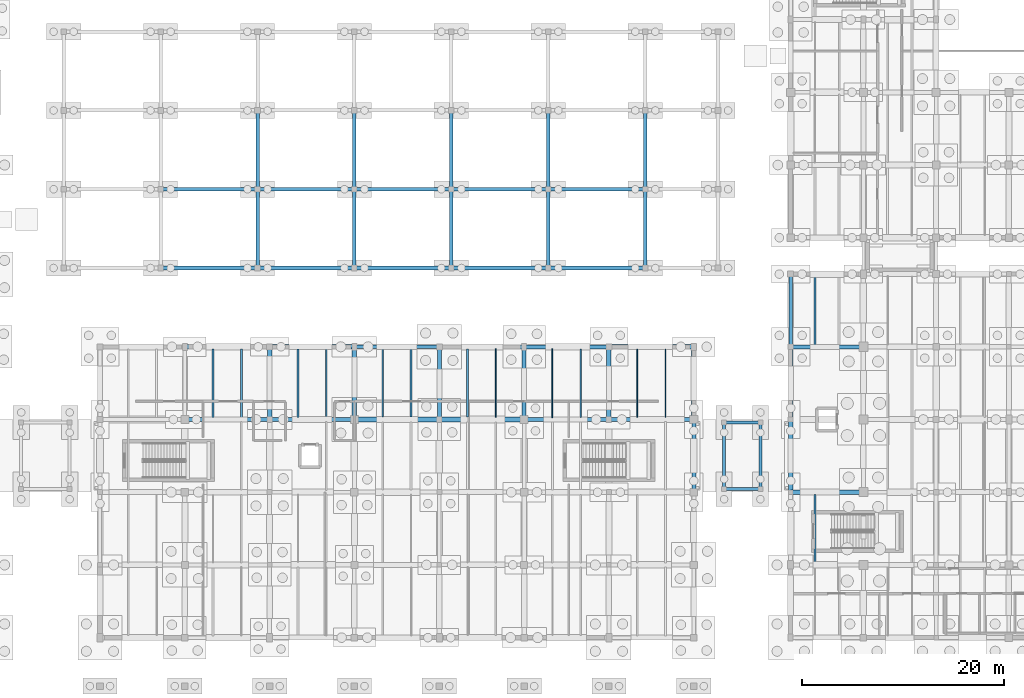
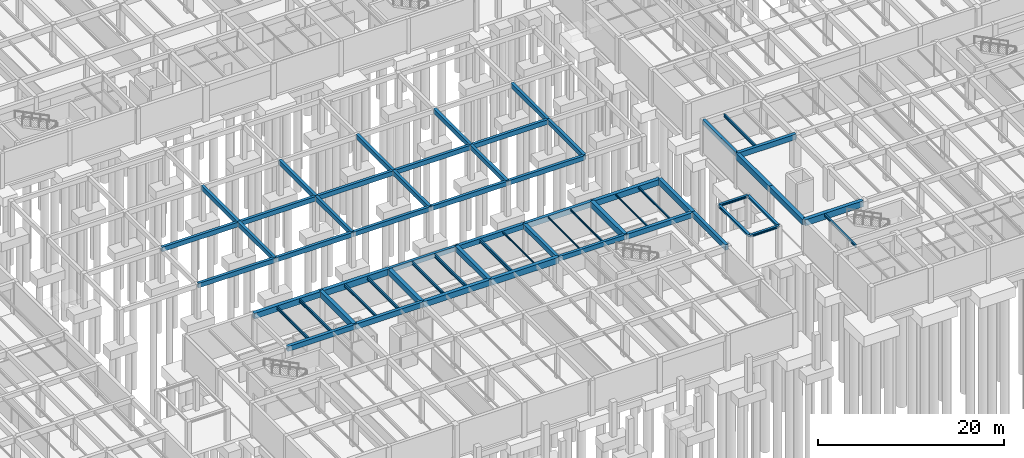
# One storey, part 27 of 63: 62 beams.
"""IFC4 building model written with IfcOpenShell, lengths in metres."""

from ifc_helpers import new_model, si_unit, direction, frame, origin, origin_2d, place, context, subcontext, project, spatial, rectangle, i_section, extrude, material, material_profile, profile_set, type_object, element, save


model = new_model("IFC4")

# Units and contexts
model_context = context("Model", 3, precision=1e-05, world=origin(), true_north=direction((0.0, 1.0)))
body_context = subcontext(model_context, "Body", "Model", "MODEL_VIEW")
ifc_project = project(units=[si_unit("LENGTHUNIT", "METRE"), si_unit("AREAUNIT", "SQUARE_METRE"), si_unit("VOLUMEUNIT", "CUBIC_METRE"), si_unit("PLANEANGLEUNIT", "RADIAN"), si_unit("MASSUNIT", "GRAM", prefix="KILO")], contexts=[model_context])

# Site, building, storey
site_placement = place(None, origin())
site = spatial("IfcSite", under=ifc_project, at=site_placement, CompositionType="ELEMENT")
building_placement = place(site_placement, origin())
building = spatial("IfcBuilding", under=site, at=building_placement, Name="Mazaris Harbour Polytechnic", CompositionType="ELEMENT")
storey_placement = place(building_placement, frame((0.0, 0.0, -4.5)))
storey = spatial("IfcBuildingStorey", under=building, at=storey_placement, Name="B1", CompositionType="ELEMENT", Elevation=-4.5)

# Beams
ifc_material_1 = material(Name="Concrete C35/45", Category="concrete")
ifc_material_profile_1 = material_profile(ifc_material_1, rectangle(XDim=0.35009765625, YDim=0.60009765625, at=origin_2d()), Name="RECT350x600")
ifc_profile_set_1 = profile_set([ifc_material_profile_1], Name="Concrete C35/45")
beam_type_1 = type_object("IfcBeamType", Name="RC Girder 350x600", PredefinedType="BEAM", material=ifc_profile_set_1)
beam_1_placement = place(storey_placement, frame((96.0, 28.800048828125, 3.8798828125), z_axis=(1.0, 0.0, 0.0), x_axis=(0.0, 1.0, 0.0)))
element("IfcBeam", 1, at=beam_1_placement, inside=storey, type_object=beam_type_1, Name="V3 B1 Girder 765", PredefinedType="BEAM", context=body_context, shape_type="SweptSolid", body=[
    extrude(rectangle(XDim=0.35009765625, YDim=0.60009765625, at=origin_2d()), origin(), (0.0, 0.0, 1.0), 8.39990234375),
])
beam_2_placement = place(storey_placement, frame((60.0, 43.800048828125, 3.89990234375), z_axis=(1.0, 0.0, 0.0), x_axis=(0.0, 1.0, 0.0)))
element("IfcBeam", 2, at=beam_2_placement, inside=storey, type_object=beam_type_1, Name="Courtyard Deck Girder X-3504", PredefinedType="BEAM", context=body_context, shape_type="SweptSolid", body=[
    extrude(rectangle(XDim=0.35009765625, YDim=0.60009765625, at=origin_2d()), origin(), (0.0, 0.0, 1.0), 9.60009765625),
])
beam_3_placement = place(storey_placement, frame((69.60009765625, 43.800048828125, 3.89990234375), z_axis=(1.0, 0.0, 0.0), x_axis=(0.0, 1.0, 0.0)))
element("IfcBeam", 3, at=beam_3_placement, inside=storey, type_object=beam_type_1, Name="Courtyard Deck Girder X-3505", PredefinedType="BEAM", context=body_context, shape_type="SweptSolid", body=[
    extrude(rectangle(XDim=0.35009765625, YDim=0.60009765625, at=origin_2d()), origin(), (0.0, 0.0, 1.0), 9.599853515625),
])
beam_4_placement = place(storey_placement, frame((79.199951171875, 43.800048828125, 3.89990234375), z_axis=(1.0, 0.0, 0.0), x_axis=(0.0, 1.0, 0.0)))
element("IfcBeam", 4, at=beam_4_placement, inside=storey, type_object=beam_type_1, Name="Courtyard Deck Girder X-3506", PredefinedType="BEAM", context=body_context, shape_type="SweptSolid", body=[
    extrude(rectangle(XDim=0.35009765625, YDim=0.60009765625, at=origin_2d()), origin(), (0.0, 0.0, 1.0), 9.60009765625),
])
beam_5_placement = place(storey_placement, frame((88.800048828125, 43.800048828125, 3.89990234375), z_axis=(1.0, 0.0, 0.0), x_axis=(0.0, 1.0, 0.0)))
element("IfcBeam", 5, at=beam_5_placement, inside=storey, type_object=beam_type_1, Name="Courtyard Deck Girder X-3507", PredefinedType="BEAM", context=body_context, shape_type="SweptSolid", body=[
    extrude(rectangle(XDim=0.35009765625, YDim=0.60009765625, at=origin_2d()), origin(), (0.0, 0.0, 1.0), 9.599853515625),
])
for number, where, z_axis, x_axis, name in (
    (6, (98.39990234375, 43.800048828125, 3.89990234375), (1.0, 0.0, 0.0), (0.0, 1.0, 0.0), "Courtyard Deck Girder X-3508"),
    (7, (60.0, 51.60009765625, 3.89990234375), (1.0, 0.0, 0.0), (0.0, 1.0, 0.0), "Courtyard Deck Girder X-3511"),
):
    element("IfcBeam", number, at=place(storey_placement, frame(where, z_axis=z_axis, x_axis=x_axis)), inside=storey, type_object=beam_type_1, Name=name, PredefinedType="BEAM", context=body_context, shape_type="SweptSolid", body=[
        extrude(rectangle(XDim=0.35009765625, YDim=0.60009765625, at=origin_2d()), origin(), (0.0, 0.0, 1.0), 9.60009765625),
    ])
beam_6_placement = place(storey_placement, frame((69.60009765625, 51.60009765625, 3.89990234375), z_axis=(1.0, 0.0, 0.0), x_axis=(0.0, 1.0, 0.0)))
element("IfcBeam", 8, at=beam_6_placement, inside=storey, type_object=beam_type_1, Name="Courtyard Deck Girder X-3512", PredefinedType="BEAM", context=body_context, shape_type="SweptSolid", body=[
    extrude(rectangle(XDim=0.35009765625, YDim=0.60009765625, at=origin_2d()), origin(), (0.0, 0.0, 1.0), 9.599853515625),
])
beam_7_placement = place(storey_placement, frame((79.199951171875, 51.60009765625, 3.89990234375), z_axis=(1.0, 0.0, 0.0), x_axis=(0.0, 1.0, 0.0)))
element("IfcBeam", 9, at=beam_7_placement, inside=storey, type_object=beam_type_1, Name="Courtyard Deck Girder X-3513", PredefinedType="BEAM", context=body_context, shape_type="SweptSolid", body=[
    extrude(rectangle(XDim=0.35009765625, YDim=0.60009765625, at=origin_2d()), origin(), (0.0, 0.0, 1.0), 9.60009765625),
])
beam_8_placement = place(storey_placement, frame((88.800048828125, 51.60009765625, 3.89990234375), z_axis=(1.0, 0.0, 0.0), x_axis=(0.0, 1.0, 0.0)))
element("IfcBeam", 10, at=beam_8_placement, inside=storey, type_object=beam_type_1, Name="Courtyard Deck Girder X-3514", PredefinedType="BEAM", context=body_context, shape_type="SweptSolid", body=[
    extrude(rectangle(XDim=0.35009765625, YDim=0.60009765625, at=origin_2d()), origin(), (0.0, 0.0, 1.0), 9.599853515625),
])
beam_9_placement = place(storey_placement, frame((98.39990234375, 51.60009765625, 3.89990234375), z_axis=(1.0, 0.0, 0.0), x_axis=(0.0, 1.0, 0.0)))
element("IfcBeam", 11, at=beam_9_placement, inside=storey, type_object=beam_type_1, Name="Courtyard Deck Girder X-3515", PredefinedType="BEAM", context=body_context, shape_type="SweptSolid", body=[
    extrude(rectangle(XDim=0.35009765625, YDim=0.60009765625, at=origin_2d()), origin(), (0.0, 0.0, 1.0), 9.60009765625),
])
beam_10_placement = place(storey_placement, frame((69.60009765625, 43.800048828125, 3.89990234375), z_axis=(0.0, 1.0, 0.0), x_axis=(-1.0, 0.0, 0.0)))
element("IfcBeam", 12, at=beam_10_placement, inside=storey, type_object=beam_type_1, Name="Courtyard Deck Girder Y-3537", PredefinedType="BEAM", context=body_context, shape_type="SweptSolid", body=[
    extrude(rectangle(XDim=0.35009765625, YDim=0.60009765625, at=origin_2d()), origin(), (0.0, 0.0, 1.0), 7.800048828125),
])
beam_11_placement = place(storey_placement, frame((69.60009765625, 51.60009765625, 3.89990234375), z_axis=(0.0, 1.0, 0.0), x_axis=(-1.0, 0.0, 0.0)))
element("IfcBeam", 13, at=beam_11_placement, inside=storey, type_object=beam_type_1, Name="Courtyard Deck Girder Y-3538", PredefinedType="BEAM", context=body_context, shape_type="SweptSolid", body=[
    extrude(rectangle(XDim=0.35009765625, YDim=0.60009765625, at=origin_2d()), origin(), (0.0, 0.0, 1.0), 7.7998046875),
])
beam_12_placement = place(storey_placement, frame((79.199951171875, 43.800048828125, 3.89990234375), z_axis=(0.0, 1.0, 0.0), x_axis=(-1.0, 0.0, 0.0)))
element("IfcBeam", 14, at=beam_12_placement, inside=storey, type_object=beam_type_1, Name="Courtyard Deck Girder Y-3540", PredefinedType="BEAM", context=body_context, shape_type="SweptSolid", body=[
    extrude(rectangle(XDim=0.35009765625, YDim=0.60009765625, at=origin_2d()), origin(), (0.0, 0.0, 1.0), 7.800048828125),
])
beam_13_placement = place(storey_placement, frame((79.199951171875, 51.60009765625, 3.89990234375), z_axis=(0.0, 1.0, 0.0), x_axis=(-1.0, 0.0, 0.0)))
element("IfcBeam", 15, at=beam_13_placement, inside=storey, type_object=beam_type_1, Name="Courtyard Deck Girder Y-3541", PredefinedType="BEAM", context=body_context, shape_type="SweptSolid", body=[
    extrude(rectangle(XDim=0.35009765625, YDim=0.60009765625, at=origin_2d()), origin(), (0.0, 0.0, 1.0), 7.7998046875),
])
beam_14_placement = place(storey_placement, frame((88.800048828125, 43.800048828125, 3.89990234375), z_axis=(0.0, 1.0, 0.0), x_axis=(-1.0, 0.0, 0.0)))
element("IfcBeam", 16, at=beam_14_placement, inside=storey, type_object=beam_type_1, Name="Courtyard Deck Girder Y-3543", PredefinedType="BEAM", context=body_context, shape_type="SweptSolid", body=[
    extrude(rectangle(XDim=0.35009765625, YDim=0.60009765625, at=origin_2d()), origin(), (0.0, 0.0, 1.0), 7.800048828125),
])
beam_15_placement = place(storey_placement, frame((88.800048828125, 51.60009765625, 3.89990234375), z_axis=(0.0, 1.0, 0.0), x_axis=(-1.0, 0.0, 0.0)))
element("IfcBeam", 17, at=beam_15_placement, inside=storey, type_object=beam_type_1, Name="Courtyard Deck Girder Y-3544", PredefinedType="BEAM", context=body_context, shape_type="SweptSolid", body=[
    extrude(rectangle(XDim=0.35009765625, YDim=0.60009765625, at=origin_2d()), origin(), (0.0, 0.0, 1.0), 7.7998046875),
])
beam_16_placement = place(storey_placement, frame((98.39990234375, 43.800048828125, 3.89990234375), z_axis=(0.0, 1.0, 0.0), x_axis=(-1.0, 0.0, 0.0)))
element("IfcBeam", 18, at=beam_16_placement, inside=storey, type_object=beam_type_1, Name="Courtyard Deck Girder Y-3546", PredefinedType="BEAM", context=body_context, shape_type="SweptSolid", body=[
    extrude(rectangle(XDim=0.35009765625, YDim=0.60009765625, at=origin_2d()), origin(), (0.0, 0.0, 1.0), 7.800048828125),
])
beam_17_placement = place(storey_placement, frame((98.39990234375, 51.60009765625, 3.89990234375), z_axis=(0.0, 1.0, 0.0), x_axis=(-1.0, 0.0, 0.0)))
element("IfcBeam", 19, at=beam_17_placement, inside=storey, type_object=beam_type_1, Name="Courtyard Deck Girder Y-3547", PredefinedType="BEAM", context=body_context, shape_type="SweptSolid", body=[
    extrude(rectangle(XDim=0.35009765625, YDim=0.60009765625, at=origin_2d()), origin(), (0.0, 0.0, 1.0), 7.7998046875),
])
beam_18_placement = place(storey_placement, frame((108.0, 43.800048828125, 3.89990234375), z_axis=(0.0, 1.0, 0.0), x_axis=(-1.0, 0.0, 0.0)))
element("IfcBeam", 20, at=beam_18_placement, inside=storey, type_object=beam_type_1, Name="Courtyard Deck Girder Y-3549", PredefinedType="BEAM", context=body_context, shape_type="SweptSolid", body=[
    extrude(rectangle(XDim=0.35009765625, YDim=0.60009765625, at=origin_2d()), origin(), (0.0, 0.0, 1.0), 7.800048828125),
])
beam_19_placement = place(storey_placement, frame((108.0, 51.60009765625, 3.89990234375), z_axis=(0.0, 1.0, 0.0), x_axis=(-1.0, 0.0, 0.0)))
element("IfcBeam", 21, at=beam_19_placement, inside=storey, type_object=beam_type_1, Name="Courtyard Deck Girder Y-3550", PredefinedType="BEAM", context=body_context, shape_type="SweptSolid", body=[
    extrude(rectangle(XDim=0.35009765625, YDim=0.60009765625, at=origin_2d()), origin(), (0.0, 0.0, 1.0), 7.7998046875),
])
ifc_material_2 = material(Name="Concrete C35/45", Category="concrete")
ifc_material_profile_2 = material_profile(ifc_material_2, rectangle(XDim=0.35009765625, YDim=0.60009765625, at=origin_2d()), Name="RECT350x600")
ifc_profile_set_2 = profile_set([ifc_material_profile_2], Name="Concrete C35/45")
beam_type_2 = type_object("IfcBeamType", Name="RC Girder 350x600 Exterior", PredefinedType="BEAM", material=ifc_profile_set_2)
beam_20_placement = place(storey_placement, frame((122.39990234375, 36.0, 3.8798828125), z_axis=(0.0, 1.0, 0.0), x_axis=(-1.0, 0.0, 0.0)))
element("IfcBeam", 22, at=beam_20_placement, inside=storey, type_object=beam_type_2, Name="V2 B1 Tie Girder 325", PredefinedType="BEAM", context=body_context, shape_type="SweptSolid", body=[
    extrude(rectangle(XDim=0.35009765625, YDim=0.60009765625, at=origin_2d()), origin(), (0.0, 0.0, 1.0), 7.199951171875),
])
beam_21_placement = place(storey_placement, frame((79.199951171875, 36.0, 3.8798828125), z_axis=(1.0, 0.0, 0.0), x_axis=(0.0, 1.0, 0.0)))
element("IfcBeam", 23, at=beam_21_placement, inside=storey, type_object=beam_type_2, Name="V3 B1 Girder 770", PredefinedType="BEAM", context=body_context, shape_type="SweptSolid", body=[
    extrude(rectangle(XDim=0.35009765625, YDim=0.60009765625, at=origin_2d()), origin(), (0.0, 0.0, 1.0), 8.400146484375),
])
ifc_material_3 = material(Name="Concrete C35/45", Category="concrete")
ifc_material_profile_3 = material_profile(ifc_material_3, rectangle(XDim=0.39990234375, YDim=0.64990234375, at=origin_2d()), Name="RECT400x650")
ifc_profile_set_3 = profile_set([ifc_material_profile_3], Name="Concrete C35/45")
beam_type_3 = type_object("IfcBeamType", Name="RC Girder 400x650", PredefinedType="BEAM", material=ifc_profile_set_3)
for number, where, z_axis, x_axis, name in (
    (24, (62.39990234375, 28.800048828125, 3.85498046875), (1.0, 0.0, 0.0), (0.0, 1.0, 0.0), "V3 B1 Girder 761"),
    (25, (104.39990234375, 28.800048828125, 3.85498046875), (1.0, 0.0, 0.0), (0.0, 1.0, 0.0), "V3 B1 Girder 766"),
):
    element("IfcBeam", number, at=place(storey_placement, frame(where, z_axis=z_axis, x_axis=x_axis)), inside=storey, type_object=beam_type_3, Name=name, PredefinedType="BEAM", context=body_context, shape_type="SweptSolid", body=[
        extrude(rectangle(XDim=0.39990234375, YDim=0.64990234375, at=origin_2d()), origin(), (0.0, 0.0, 1.0), 8.400146484375),
    ])
beam_22_placement = place(storey_placement, frame((96.0, 28.800048828125, 3.85498046875), z_axis=(0.0, 1.0, 0.0), x_axis=(-1.0, 0.0, 0.0)))
element("IfcBeam", 26, at=beam_22_placement, inside=storey, type_object=beam_type_3, Name="V3 B1 Tie Girder 796", PredefinedType="BEAM", context=body_context, shape_type="SweptSolid", body=[
    extrude(rectangle(XDim=0.39990234375, YDim=0.64990234375, at=origin_2d()), origin(), (0.0, 0.0, 1.0), 7.199951171875),
])
ifc_material_4 = material(Name="Concrete C35/45", Category="concrete")
ifc_material_profile_4 = material_profile(ifc_material_4, rectangle(XDim=0.39990234375, YDim=0.64990234375, at=origin_2d()), Name="RECT400x650")
ifc_profile_set_4 = profile_set([ifc_material_profile_4], Name="Concrete C35/45")
beam_type_4 = type_object("IfcBeamType", Name="RC Girder 400x650 Exterior", PredefinedType="BEAM", material=ifc_profile_set_4)
beam_23_placement = place(storey_placement, frame((87.60009765625, 36.0, 3.85498046875), z_axis=(1.0, 0.0, 0.0), x_axis=(0.0, 1.0, 0.0)))
element("IfcBeam", 27, at=beam_23_placement, inside=storey, type_object=beam_type_4, Name="V3 B1 Girder 771", PredefinedType="BEAM", context=body_context, shape_type="SweptSolid", body=[
    extrude(rectangle(XDim=0.39990234375, YDim=0.64990234375, at=origin_2d()), origin(), (0.0, 0.0, 1.0), 8.39990234375),
])
ifc_material_5 = material(Name="Concrete C35/45", Category="concrete")
ifc_material_profile_5 = material_profile(ifc_material_5, rectangle(XDim=0.39990234375, YDim=0.699951171875, at=origin_2d()), Name="RECT400x700")
ifc_profile_set_5 = profile_set([ifc_material_profile_5], Name="Concrete C35/45")
beam_type_5 = type_object("IfcBeamType", Name="RC Girder 400x700", PredefinedType="BEAM", material=ifc_profile_set_5)
beam_24_placement = place(storey_placement, frame((122.39990234375, 36.0, 3.830078125), z_axis=(1.0, 0.0, 0.0), x_axis=(0.0, 1.0, 0.0)))
element("IfcBeam", 28, at=beam_24_placement, inside=storey, type_object=beam_type_5, Name="V2 B1 Girder 307", PredefinedType="BEAM", context=body_context, shape_type="SweptSolid", body=[
    extrude(rectangle(XDim=0.39990234375, YDim=0.699951171875, at=origin_2d()), origin(), (0.0, 0.0, 1.0), 7.2001953125),
])
beam_25_placement = place(storey_placement, frame((70.800048828125, 28.800048828125, 3.830078125), z_axis=(1.0, 0.0, 0.0), x_axis=(0.0, 1.0, 0.0)))
element("IfcBeam", 29, at=beam_25_placement, inside=storey, type_object=beam_type_5, Name="V3 B1 Girder 762", PredefinedType="BEAM", context=body_context, shape_type="SweptSolid", body=[
    extrude(rectangle(XDim=0.39990234375, YDim=0.699951171875, at=origin_2d()), origin(), (0.0, 0.0, 1.0), 8.39990234375),
])
beam_26_placement = place(storey_placement, frame((87.60009765625, 28.800048828125, 3.830078125), z_axis=(0.0, 1.0, 0.0), x_axis=(-1.0, 0.0, 0.0)))
element("IfcBeam", 30, at=beam_26_placement, inside=storey, type_object=beam_type_5, Name="V3 B1 Tie Girder 792", PredefinedType="BEAM", context=body_context, shape_type="SweptSolid", body=[
    extrude(rectangle(XDim=0.39990234375, YDim=0.699951171875, at=origin_2d()), origin(), (0.0, 0.0, 1.0), 7.199951171875),
])
ifc_material_6 = material(Name="Concrete C35/45", Category="concrete")
ifc_material_profile_6 = material_profile(ifc_material_6, rectangle(XDim=0.39990234375, YDim=0.699951171875, at=origin_2d()), Name="RECT400x700")
ifc_profile_set_6 = profile_set([ifc_material_profile_6], Name="Concrete C35/45")
beam_type_6 = type_object("IfcBeamType", Name="RC Girder 400x700 Exterior", PredefinedType="BEAM", material=ifc_profile_set_6)
beam_27_placement = place(storey_placement, frame((96.0, 36.0, 3.830078125), z_axis=(1.0, 0.0, 0.0), x_axis=(0.0, 1.0, 0.0)))
element("IfcBeam", 31, at=beam_27_placement, inside=storey, type_object=beam_type_6, Name="V3 B1 Girder 772", PredefinedType="BEAM", context=body_context, shape_type="SweptSolid", body=[
    extrude(rectangle(XDim=0.39990234375, YDim=0.699951171875, at=origin_2d()), origin(), (0.0, 0.0, 1.0), 8.39990234375),
])
beam_28_placement = place(storey_placement, frame((112.800048828125, 21.60009765625, 3.830078125), z_axis=(0.0, 1.0, 0.0), x_axis=(-1.0, 0.0, 0.0)))
element("IfcBeam", 32, at=beam_28_placement, inside=storey, type_object=beam_type_6, Name="V3 B1 Tie Girder 802", PredefinedType="BEAM", context=body_context, shape_type="SweptSolid", body=[
    extrude(rectangle(XDim=0.39990234375, YDim=0.699951171875, at=origin_2d()), origin(), (0.0, 0.0, 1.0), 7.199951171875),
])
ifc_material_7 = material(Name="Concrete C40/50", Category="concrete")
ifc_material_profile_7 = material_profile(ifc_material_7, rectangle(XDim=0.449951171875, YDim=0.75, at=origin_2d()), Name="RECT450x750")
ifc_profile_set_7 = profile_set([ifc_material_profile_7], Name="Concrete C40/50")
beam_type_7 = type_object("IfcBeamType", Name="RC Girder 450x750", PredefinedType="BEAM", material=ifc_profile_set_7)
beam_29_placement = place(storey_placement, frame((79.199951171875, 28.800048828125, 3.804931640625), z_axis=(1.0, 0.0, 0.0), x_axis=(0.0, 1.0, 0.0)))
element("IfcBeam", 33, at=beam_29_placement, inside=storey, type_object=beam_type_7, Name="V3 B1 Girder 763", PredefinedType="BEAM", context=body_context, shape_type="SweptSolid", body=[
    extrude(rectangle(XDim=0.449951171875, YDim=0.75, at=origin_2d()), origin(), (0.0, 0.0, 1.0), 8.400146484375),
])
beam_30_placement = place(storey_placement, frame((79.199951171875, 28.800048828125, 3.804931640625), z_axis=(0.0, 1.0, 0.0), x_axis=(-1.0, 0.0, 0.0)))
element("IfcBeam", 34, at=beam_30_placement, inside=storey, type_object=beam_type_7, Name="V3 B1 Tie Girder 788", PredefinedType="BEAM", context=body_context, shape_type="SweptSolid", body=[
    extrude(rectangle(XDim=0.449951171875, YDim=0.75, at=origin_2d()), origin(), (0.0, 0.0, 1.0), 7.199951171875),
])
ifc_material_8 = material(Name="Concrete C40/50", Category="concrete")
ifc_material_profile_8 = material_profile(ifc_material_8, rectangle(XDim=0.449951171875, YDim=0.75, at=origin_2d()), Name="RECT450x750")
ifc_profile_set_8 = profile_set([ifc_material_profile_8], Name="Concrete C40/50")
beam_type_8 = type_object("IfcBeamType", Name="RC Girder 450x750 Exterior", PredefinedType="BEAM", material=ifc_profile_set_8)
beam_31_placement = place(storey_placement, frame((122.39990234375, 21.60009765625, 3.804931640625), z_axis=(0.0, 1.0, 0.0), x_axis=(-1.0, 0.0, 0.0)))
element("IfcBeam", 35, at=beam_31_placement, inside=storey, type_object=beam_type_8, Name="V2 B1 Tie Girder 323", PredefinedType="BEAM", context=body_context, shape_type="SweptSolid", body=[
    extrude(rectangle(XDim=0.449951171875, YDim=0.75, at=origin_2d()), origin(), (0.0, 0.0, 1.0), 7.199951171875),
])
for number, where, z_axis, x_axis, name in (
    (36, (62.39990234375, 36.0, 3.804931640625), (1.0, 0.0, 0.0), (0.0, 1.0, 0.0), "V3 B1 Girder 768"),
    (37, (104.39990234375, 36.0, 3.804931640625), (1.0, 0.0, 0.0), (0.0, 1.0, 0.0), "V3 B1 Girder 773"),
):
    element("IfcBeam", number, at=place(storey_placement, frame(where, z_axis=z_axis, x_axis=x_axis)), inside=storey, type_object=beam_type_8, Name=name, PredefinedType="BEAM", context=body_context, shape_type="SweptSolid", body=[
        extrude(rectangle(XDim=0.449951171875, YDim=0.75, at=origin_2d()), origin(), (0.0, 0.0, 1.0), 8.400146484375),
    ])
beam_32_placement = place(storey_placement, frame((112.800048828125, 28.800048828125, 3.804931640625), z_axis=(0.0, 1.0, 0.0), x_axis=(-1.0, 0.0, 0.0)))
element("IfcBeam", 38, at=beam_32_placement, inside=storey, type_object=beam_type_8, Name="V3 B1 Tie Girder 803", PredefinedType="BEAM", context=body_context, shape_type="SweptSolid", body=[
    extrude(rectangle(XDim=0.449951171875, YDim=0.75, at=origin_2d()), origin(), (0.0, 0.0, 1.0), 7.199951171875),
])
ifc_material_9 = material(Name="Concrete C40/50", Category="concrete")
ifc_material_profile_9 = material_profile(ifc_material_9, rectangle(XDim=0.449951171875, YDim=0.800048828125, at=origin_2d()), Name="RECT450x800")
ifc_profile_set_9 = profile_set([ifc_material_profile_9], Name="Concrete C40/50")
beam_type_9 = type_object("IfcBeamType", Name="RC Girder 450x800", PredefinedType="BEAM", material=ifc_profile_set_9)
beam_33_placement = place(storey_placement, frame((122.39990234375, 21.60009765625, 3.780029296875), z_axis=(1.0, 0.0, 0.0), x_axis=(0.0, 1.0, 0.0)))
element("IfcBeam", 39, at=beam_33_placement, inside=storey, type_object=beam_type_9, Name="V2 B1 Girder 294", PredefinedType="BEAM", context=body_context, shape_type="SweptSolid", body=[
    extrude(rectangle(XDim=0.449951171875, YDim=0.800048828125, at=origin_2d()), origin(), (0.0, 0.0, 1.0), 7.2001953125),
])
beam_34_placement = place(storey_placement, frame((87.60009765625, 28.800048828125, 3.780029296875), z_axis=(1.0, 0.0, 0.0), x_axis=(0.0, 1.0, 0.0)))
element("IfcBeam", 40, at=beam_34_placement, inside=storey, type_object=beam_type_9, Name="V3 B1 Girder 764", PredefinedType="BEAM", context=body_context, shape_type="SweptSolid", body=[
    extrude(rectangle(XDim=0.449951171875, YDim=0.800048828125, at=origin_2d()), origin(), (0.0, 0.0, 1.0), 8.39990234375),
])
for number, where, z_axis, x_axis, name in (
    (41, (70.800048828125, 28.800048828125, 3.780029296875), (0.0, 1.0, 0.0), (-1.0, 0.0, 0.0), "V3 B1 Tie Girder 784"),
    (42, (104.39990234375, 28.800048828125, 3.780029296875), (0.0, 1.0, 0.0), (-1.0, 0.0, 0.0), "V3 B1 Tie Girder 799"),
):
    element("IfcBeam", number, at=place(storey_placement, frame(where, z_axis=z_axis, x_axis=x_axis)), inside=storey, type_object=beam_type_9, Name=name, PredefinedType="BEAM", context=body_context, shape_type="SweptSolid", body=[
        extrude(rectangle(XDim=0.449951171875, YDim=0.800048828125, at=origin_2d()), origin(), (0.0, 0.0, 1.0), 7.199951171875),
    ])
ifc_material_10 = material(Name="Concrete C40/50", Category="concrete")
ifc_material_profile_10 = material_profile(ifc_material_10, rectangle(XDim=0.449951171875, YDim=0.800048828125, at=origin_2d()), Name="RECT450x800")
ifc_profile_set_10 = profile_set([ifc_material_profile_10], Name="Concrete C40/50")
beam_type_10 = type_object("IfcBeamType", Name="RC Girder 450x800 Exterior", PredefinedType="BEAM", material=ifc_profile_set_10)
beam_35_placement = place(storey_placement, frame((122.39990234375, 28.800048828125, 3.780029296875), z_axis=(0.0, 1.0, 0.0), x_axis=(-1.0, 0.0, 0.0)))
element("IfcBeam", 43, at=beam_35_placement, inside=storey, type_object=beam_type_10, Name="V2 B1 Tie Girder 324", PredefinedType="BEAM", context=body_context, shape_type="SweptSolid", body=[
    extrude(rectangle(XDim=0.449951171875, YDim=0.800048828125, at=origin_2d()), origin(), (0.0, 0.0, 1.0), 7.199951171875),
])
beam_36_placement = place(storey_placement, frame((70.800048828125, 36.0, 3.780029296875), z_axis=(1.0, 0.0, 0.0), x_axis=(0.0, 1.0, 0.0)))
element("IfcBeam", 44, at=beam_36_placement, inside=storey, type_object=beam_type_10, Name="V3 B1 Girder 769", PredefinedType="BEAM", context=body_context, shape_type="SweptSolid", body=[
    extrude(rectangle(XDim=0.449951171875, YDim=0.800048828125, at=origin_2d()), origin(), (0.0, 0.0, 1.0), 8.39990234375),
])
ifc_material_11 = material(Name="Steel S355", Category="steel")
ifc_material_profile_11 = material_profile(ifc_material_11, i_section(OverallWidth=0.300048828125, OverallDepth=0.2900390625, WebThickness=0.008544921875, FlangeThickness=0.013916015625, FilletRadius=0.027099609375, at=origin_2d()), Name="HEA 300")
ifc_profile_set_11 = profile_set([ifc_material_profile_11], Name="Steel S355")
beam_type_11 = type_object("IfcBeamType", Name="Steel Beam HEA300 Exterior", PredefinedType="SPANDREL", material=ifc_profile_set_11)
beam_37_placement = place(storey_placement, frame((115.800048828125, 21.89990234375, 4.090087890625), z_axis=(1.0, 0.0, 0.0), x_axis=(0.0, 1.0, 0.0)))
element("IfcBeam", 45, at=beam_37_placement, inside=storey, type_object=beam_type_11, Name="PB-E1 B1 Bridge Beam 3435", PredefinedType="SPANDREL", context=body_context, shape_type="SweptSolid", body=[
    extrude(i_section(OverallWidth=0.300048828125, OverallDepth=0.2900390625, WebThickness=0.008544921875, FlangeThickness=0.013916015625, FilletRadius=0.027099609375, at=origin_2d()), origin(), (0.0, 0.0, 1.0), 3.599853515625),
])
for number, where, z_axis, x_axis, name in (
    (46, (115.800048828125, 21.89990234375, 4.090087890625), (0.0, 1.0, 0.0), (-1.0, 0.0, 0.0), "PB-E1 B1 Bridge Beam 3436"),
    (47, (119.39990234375, 21.89990234375, 4.090087890625), (0.0, 1.0, 0.0), (-1.0, 0.0, 0.0), "PB-E1 B1 Bridge Beam 3437"),
):
    element("IfcBeam", number, at=place(storey_placement, frame(where, z_axis=z_axis, x_axis=x_axis)), inside=storey, type_object=beam_type_11, Name=name, PredefinedType="SPANDREL", context=body_context, shape_type="SweptSolid", body=[
        extrude(i_section(OverallWidth=0.300048828125, OverallDepth=0.2900390625, WebThickness=0.008544921875, FlangeThickness=0.013916015625, FilletRadius=0.027099609375, at=origin_2d()), origin(), (0.0, 0.0, 1.0), 6.60009765625),
    ])
beam_38_placement = place(storey_placement, frame((115.800048828125, 28.5, 4.090087890625), z_axis=(1.0, 0.0, 0.0), x_axis=(0.0, 1.0, 0.0)))
element("IfcBeam", 48, at=beam_38_placement, inside=storey, type_object=beam_type_11, Name="PB-E1 B1 Bridge Beam 3438", PredefinedType="SPANDREL", context=body_context, shape_type="SweptSolid", body=[
    extrude(i_section(OverallWidth=0.300048828125, OverallDepth=0.2900390625, WebThickness=0.008544921875, FlangeThickness=0.013916015625, FilletRadius=0.027099609375, at=origin_2d()), origin(), (0.0, 0.0, 1.0), 3.599853515625),
])
ifc_material_12 = material(Name="Steel S355", Category="steel")
ifc_material_profile_12 = material_profile(ifc_material_12, i_section(OverallWidth=0.10009765625, OverallDepth=0.199951171875, WebThickness=0.005615234375, FlangeThickness=0.008544921875, FilletRadius=0.011962890625, at=origin_2d()), Name="IPE 200")
ifc_profile_set_12 = profile_set([ifc_material_profile_12], Name="Steel S355")
beam_type_12 = type_object("IfcBeamType", Name="Steel Joist IPE200", PredefinedType="JOIST", material=ifc_profile_set_12)
beam_39_placement = place(storey_placement, frame((93.199951171875, 29.02490234375, 4.080078125), z_axis=(0.0, 1.0, 0.0), x_axis=(-1.0, 0.0, 0.0)))
element("IfcBeam", 49, at=beam_39_placement, inside=storey, type_object=beam_type_12, Name="V3 B1 Floor Joist 840", PredefinedType="JOIST", context=body_context, shape_type="SweptSolid", body=[
    extrude(i_section(OverallWidth=0.10009765625, OverallDepth=0.199951171875, WebThickness=0.005615234375, FlangeThickness=0.008544921875, FilletRadius=0.011962890625, at=origin_2d()), origin(), (0.0, 0.0, 1.0), 6.775146484375),
])
beam_40_placement = place(storey_placement, frame((98.800048828125, 28.97509765625, 4.080078125), z_axis=(0.0, 1.0, 0.0), x_axis=(-1.0, 0.0, 0.0)))
element("IfcBeam", 50, at=beam_40_placement, inside=storey, type_object=beam_type_12, Name="V3 B1 Floor Joist 847", PredefinedType="JOIST", context=body_context, shape_type="SweptSolid", body=[
    extrude(i_section(OverallWidth=0.10009765625, OverallDepth=0.199951171875, WebThickness=0.005615234375, FlangeThickness=0.008544921875, FilletRadius=0.011962890625, at=origin_2d()), origin(), (0.0, 0.0, 1.0), 6.824951171875),
])
beam_41_placement = place(storey_placement, frame((107.199951171875, 29.0, 4.080078125), z_axis=(0.0, 1.0, 0.0), x_axis=(-1.0, 0.0, 0.0)))
element("IfcBeam", 51, at=beam_41_placement, inside=storey, type_object=beam_type_12, Name="V3 B1 Floor Joist 854", PredefinedType="JOIST", context=body_context, shape_type="SweptSolid", body=[
    extrude(i_section(OverallWidth=0.10009765625, OverallDepth=0.199951171875, WebThickness=0.005615234375, FlangeThickness=0.008544921875, FilletRadius=0.011962890625, at=origin_2d()), origin(), (0.0, 0.0, 1.0), 6.77490234375),
])
ifc_material_13 = material(Name="Steel S355", Category="steel")
ifc_material_profile_13 = material_profile(ifc_material_13, i_section(OverallWidth=0.1201171875, OverallDepth=0.239990234375, WebThickness=0.006103515625, FlangeThickness=0.009765625, FilletRadius=0.014892578125, at=origin_2d()), Name="IPE 240")
ifc_profile_set_13 = profile_set([ifc_material_profile_13], Name="Steel S355")
beam_type_13 = type_object("IfcBeamType", Name="Steel Joist IPE240", PredefinedType="JOIST", material=ifc_profile_set_13)
beam_42_placement = place(storey_placement, frame((101.60009765625, 28.97509765625, 4.06005859375), z_axis=(0.0, 1.0, 0.0), x_axis=(-1.0, 0.0, 0.0)))
element("IfcBeam", 52, at=beam_42_placement, inside=storey, type_object=beam_type_13, Name="V3 B1 Floor Joist 848", PredefinedType="JOIST", context=body_context, shape_type="SweptSolid", body=[
    extrude(i_section(OverallWidth=0.1201171875, OverallDepth=0.239990234375, WebThickness=0.006103515625, FlangeThickness=0.009765625, FilletRadius=0.014892578125, at=origin_2d()), origin(), (0.0, 0.0, 1.0), 6.824951171875),
])
beam_43_placement = place(storey_placement, frame((110.0, 29.0, 4.06005859375), z_axis=(0.0, 1.0, 0.0), x_axis=(-1.0, 0.0, 0.0)))
element("IfcBeam", 53, at=beam_43_placement, inside=storey, type_object=beam_type_13, Name="V3 B1 Floor Joist 855", PredefinedType="JOIST", context=body_context, shape_type="SweptSolid", body=[
    extrude(i_section(OverallWidth=0.1201171875, OverallDepth=0.239990234375, WebThickness=0.006103515625, FlangeThickness=0.009765625, FilletRadius=0.014892578125, at=origin_2d()), origin(), (0.0, 0.0, 1.0), 6.77490234375),
])
ifc_material_14 = material(Name="Steel S355", Category="steel")
ifc_material_profile_14 = material_profile(ifc_material_14, i_section(OverallWidth=0.169921875, OverallDepth=0.360107421875, WebThickness=0.008056640625, FlangeThickness=0.0126953125, FilletRadius=0.01806640625, at=origin_2d()), Name="IPE 360")
ifc_profile_set_14 = profile_set([ifc_material_profile_14], Name="Steel S355")
beam_type_14 = type_object("IfcBeamType", Name="Steel Joist IPE360", PredefinedType="JOIST", material=ifc_profile_set_14)
for number, where, z_axis, x_axis, name in (
    (54, (124.800048828125, 14.60009765625, 4.0), (0.0, 1.0, 0.0), (-1.0, 0.0, 0.0), "V2 B1 Floor Joist 361"),
    (55, (65.199951171875, 29.0, 4.0), (0.0, 1.0, 0.0), (-1.0, 0.0, 0.0), "V3 B1 Floor Joist 816"),
    (56, (73.60009765625, 29.0, 4.0), (0.0, 1.0, 0.0), (-1.0, 0.0, 0.0), "V3 B1 Floor Joist 823"),
):
    element("IfcBeam", number, at=place(storey_placement, frame(where, z_axis=z_axis, x_axis=x_axis)), inside=storey, type_object=beam_type_14, Name=name, PredefinedType="JOIST", context=body_context, shape_type="SweptSolid", body=[
        extrude(i_section(OverallWidth=0.169921875, OverallDepth=0.360107421875, WebThickness=0.008056640625, FlangeThickness=0.0126953125, FilletRadius=0.01806640625, at=origin_2d()), origin(), (0.0, 0.0, 1.0), 6.77490234375),
    ])
ifc_material_15 = material(Name="Steel S355", Category="steel")
ifc_material_profile_15 = material_profile(ifc_material_15, i_section(OverallWidth=0.179931640625, OverallDepth=0.39990234375, WebThickness=0.008544921875, FlangeThickness=0.013427734375, FilletRadius=0.02099609375, at=origin_2d()), Name="IPE 400")
ifc_profile_set_15 = profile_set([ifc_material_profile_15], Name="Steel S355")
beam_type_15 = type_object("IfcBeamType", Name="Steel Joist IPE400", PredefinedType="JOIST", material=ifc_profile_set_15)
beam_44_placement = place(storey_placement, frame((124.800048828125, 36.199951171875, 3.97998046875), z_axis=(0.0, 1.0, 0.0), x_axis=(-1.0, 0.0, 0.0)))
element("IfcBeam", 57, at=beam_44_placement, inside=storey, type_object=beam_type_15, Name="V2 B1 Floor Joist 362", PredefinedType="JOIST", context=body_context, shape_type="SweptSolid", body=[
    extrude(i_section(OverallWidth=0.179931640625, OverallDepth=0.39990234375, WebThickness=0.008544921875, FlangeThickness=0.013427734375, FilletRadius=0.02099609375, at=origin_2d()), origin(), (0.0, 0.0, 1.0), 6.775146484375),
])
for number, where, z_axis, x_axis, name in (
    (58, (68.0, 29.0, 3.97998046875), (0.0, 1.0, 0.0), (-1.0, 0.0, 0.0), "V3 B1 Floor Joist 817"),
    (59, (76.39990234375, 29.0, 3.97998046875), (0.0, 1.0, 0.0), (-1.0, 0.0, 0.0), "V3 B1 Floor Joist 824"),
):
    element("IfcBeam", number, at=place(storey_placement, frame(where, z_axis=z_axis, x_axis=x_axis)), inside=storey, type_object=beam_type_15, Name=name, PredefinedType="JOIST", context=body_context, shape_type="SweptSolid", body=[
        extrude(i_section(OverallWidth=0.179931640625, OverallDepth=0.39990234375, WebThickness=0.008544921875, FlangeThickness=0.013427734375, FilletRadius=0.02099609375, at=origin_2d()), origin(), (0.0, 0.0, 1.0), 6.77490234375),
    ])
beam_45_placement = place(storey_placement, frame((82.0, 29.02490234375, 3.97998046875), z_axis=(0.0, 1.0, 0.0), x_axis=(-1.0, 0.0, 0.0)))
element("IfcBeam", 60, at=beam_45_placement, inside=storey, type_object=beam_type_15, Name="V3 B1 Floor Joist 831", PredefinedType="JOIST", context=body_context, shape_type="SweptSolid", body=[
    extrude(i_section(OverallWidth=0.179931640625, OverallDepth=0.39990234375, WebThickness=0.008544921875, FlangeThickness=0.013427734375, FilletRadius=0.02099609375, at=origin_2d()), origin(), (0.0, 0.0, 1.0), 6.800048828125),
])
ifc_material_16 = material(Name="Steel S355", Category="steel")
ifc_material_profile_16 = material_profile(ifc_material_16, i_section(OverallWidth=0.18994140625, OverallDepth=0.449951171875, WebThickness=0.009521484375, FlangeThickness=0.0146484375, FilletRadius=0.02099609375, at=origin_2d()), Name="IPE 450")
ifc_profile_set_16 = profile_set([ifc_material_profile_16], Name="Steel S355")
beam_type_16 = type_object("IfcBeamType", Name="Steel Joist IPE450", PredefinedType="JOIST", material=ifc_profile_set_16)
beam_46_placement = place(storey_placement, frame((84.800048828125, 29.02490234375, 3.955078125), z_axis=(0.0, 1.0, 0.0), x_axis=(-1.0, 0.0, 0.0)))
element("IfcBeam", 61, at=beam_46_placement, inside=storey, type_object=beam_type_16, Name="V3 B1 Floor Joist 832", PredefinedType="JOIST", context=body_context, shape_type="SweptSolid", body=[
    extrude(i_section(OverallWidth=0.18994140625, OverallDepth=0.449951171875, WebThickness=0.009521484375, FlangeThickness=0.0146484375, FilletRadius=0.02099609375, at=origin_2d()), origin(), (0.0, 0.0, 1.0), 6.800048828125),
])
beam_47_placement = place(storey_placement, frame((90.39990234375, 29.02490234375, 3.955078125), z_axis=(0.0, 1.0, 0.0), x_axis=(-1.0, 0.0, 0.0)))
element("IfcBeam", 62, at=beam_47_placement, inside=storey, type_object=beam_type_16, Name="V3 B1 Floor Joist 839", PredefinedType="JOIST", context=body_context, shape_type="SweptSolid", body=[
    extrude(i_section(OverallWidth=0.18994140625, OverallDepth=0.449951171875, WebThickness=0.009521484375, FlangeThickness=0.0146484375, FilletRadius=0.02099609375, at=origin_2d()), origin(), (0.0, 0.0, 1.0), 6.775146484375),
])

save(model, "model.ifc")
